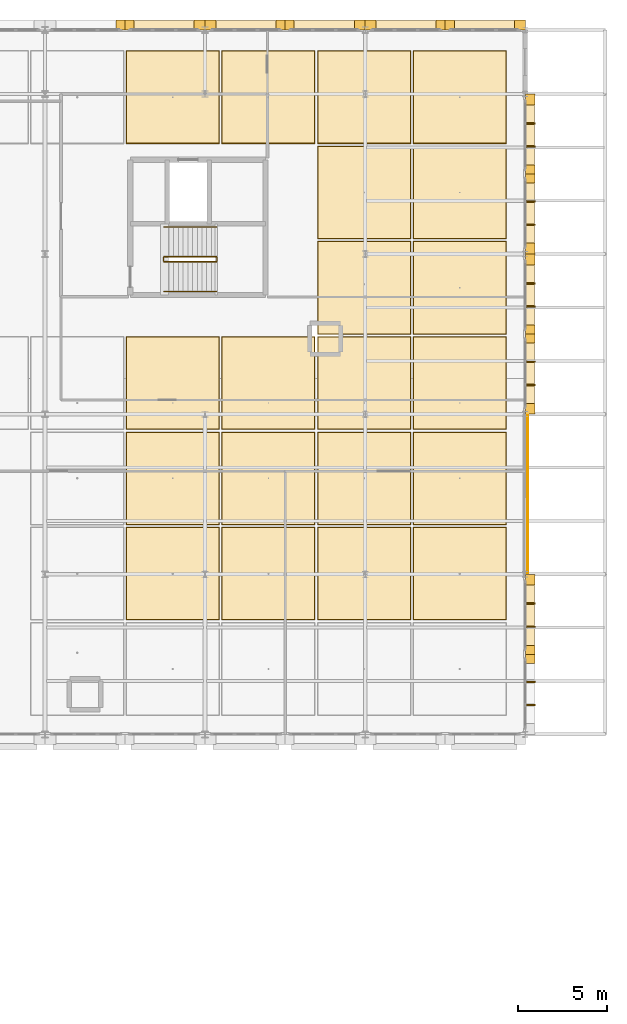
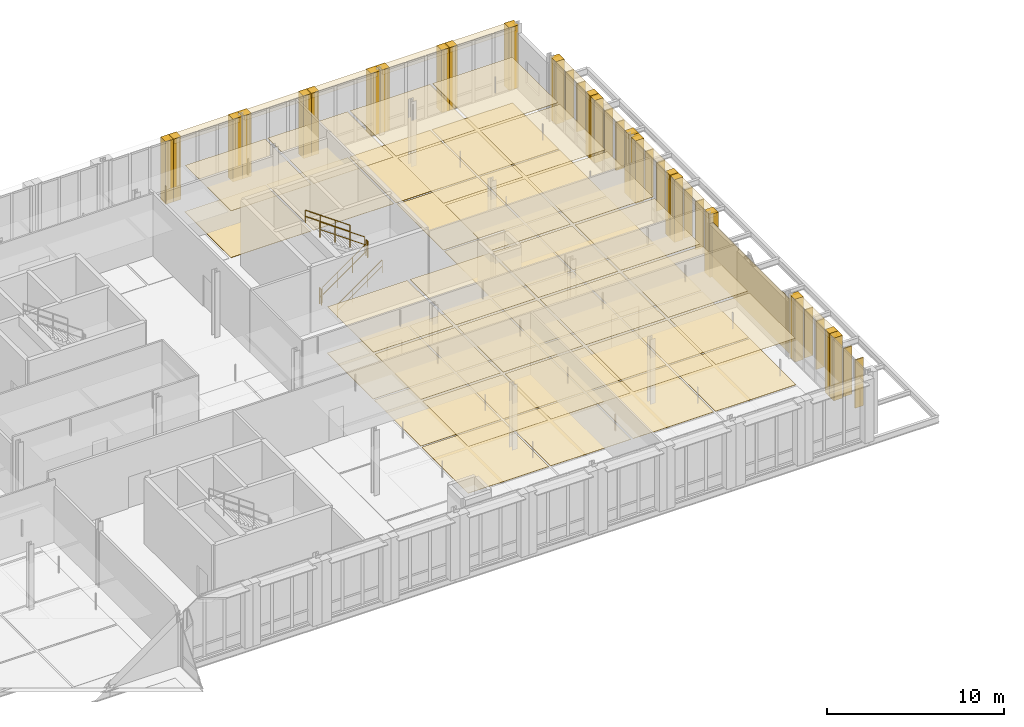
# One storey, part 140 of 140: 73 coverings, 12 shading devices, 6 railings.
"""IFC4 building model written with IfcOpenShell, lengths in metres."""

from ifc_helpers import new_model, si_unit, direction, frame, origin, origin_2d, place, context, subcontext, project, spatial, rectangle, circle, extrude, material, layer, layer_set, type_object, element, save


model = new_model("IFC4")

# Units and contexts
model_context = context("Model", 3, precision=1e-05, world=origin(), true_north=direction((0.0, 1.0)))
body_context = subcontext(model_context, "Body", "Model", "MODEL_VIEW")
ifc_project = project(units=[si_unit("LENGTHUNIT", "METRE"), si_unit("AREAUNIT", "SQUARE_METRE"), si_unit("VOLUMEUNIT", "CUBIC_METRE"), si_unit("PLANEANGLEUNIT", "RADIAN"), si_unit("MASSUNIT", "GRAM", prefix="KILO"), si_unit("THERMODYNAMICTEMPERATUREUNIT", "KELVIN"), si_unit("POWERUNIT", "WATT")], contexts=[model_context])

# Site, building, storey
site_placement = place(None, origin())
site = spatial("IfcSite", under=ifc_project, at=site_placement, CompositionType="ELEMENT")
building_placement = place(site_placement, origin())
building = spatial("IfcBuilding", under=site, at=building_placement, Name="Tallowbark Science Centre", CompositionType="ELEMENT")
storey_placement = place(building_placement, frame((0.0, 0.0, 9.89990234375)))
storey = spatial("IfcBuildingStorey", under=building, at=storey_placement, Name="L02", CompositionType="ELEMENT", Elevation=9.89990234375)

# Coverings
ifc_material_1 = material(Name="Mineral-Fibre Acoustic Ceiling Tile Grid")
ifc_layer_1 = layer(ifc_material_1, 0.01806640625)
ifc_layer_set_1 = layer_set([ifc_layer_1], Name="Mineral-Fibre Acoustic Ceiling Tile Grid")
covering_type_1 = type_object("IfcCoveringType", Name="CLG-ACT-18", PredefinedType="CEILING", material=ifc_layer_set_1)
for number, where, z_axis, x_axis, name in (
    (1, (137.6875, 81.03564453125, 3.191162109375), (0.0, 0.0, 1.0), (1.0, 0.0, 0.0), "Suspended Ceiling L02-923"),
    (2, (137.6875, 86.392822265625, 3.191162109375), (0.0, 0.0, 1.0), (1.0, 0.0, 0.0), "Suspended Ceiling L02-924"),
    (3, (137.6875, 91.75, 3.191162109375), (0.0, 0.0, 1.0), (1.0, 0.0, 0.0), "Suspended Ceiling L02-925"),
    (4, (137.6875, 107.8212890625, 3.191162109375), (0.0, 0.0, 1.0), (1.0, 0.0, 0.0), "Suspended Ceiling L02-926"),
    (5, (143.0625, 81.03564453125, 3.191162109375), (0.0, 0.0, 1.0), (1.0, 0.0, 0.0), "Suspended Ceiling L02-928"),
    (6, (143.0625, 86.392822265625, 3.191162109375), (0.0, 0.0, 1.0), (1.0, 0.0, 0.0), "Suspended Ceiling L02-929"),
    (7, (143.0625, 91.75, 3.191162109375), (0.0, 0.0, 1.0), (1.0, 0.0, 0.0), "Suspended Ceiling L02-930"),
    (8, (143.0625, 107.8212890625, 3.191162109375), (0.0, 0.0, 1.0), (1.0, 0.0, 0.0), "Suspended Ceiling L02-931"),
    (9, (148.4375, 81.03564453125, 3.191162109375), (0.0, 0.0, 1.0), (1.0, 0.0, 0.0), "Suspended Ceiling L02-933"),
    (10, (148.4375, 86.392822265625, 3.191162109375), (0.0, 0.0, 1.0), (1.0, 0.0, 0.0), "Suspended Ceiling L02-934"),
    (11, (148.4375, 91.75, 3.191162109375), (0.0, 0.0, 1.0), (1.0, 0.0, 0.0), "Suspended Ceiling L02-935"),
    (12, (148.4375, 97.107177734375, 3.191162109375), (0.0, 0.0, 1.0), (1.0, 0.0, 0.0), "Suspended Ceiling L02-936"),
    (13, (148.4375, 102.46435546875, 3.191162109375), (0.0, 0.0, 1.0), (1.0, 0.0, 0.0), "Suspended Ceiling L02-937"),
    (14, (148.4375, 107.8212890625, 3.191162109375), (0.0, 0.0, 1.0), (1.0, 0.0, 0.0), "Suspended Ceiling L02-938"),
    (15, (153.8125, 81.03564453125, 3.191162109375), (0.0, 0.0, 1.0), (1.0, 0.0, 0.0), "Suspended Ceiling L02-940"),
    (16, (153.8125, 86.392822265625, 3.191162109375), (0.0, 0.0, 1.0), (1.0, 0.0, 0.0), "Suspended Ceiling L02-941"),
    (17, (153.8125, 91.75, 3.191162109375), (0.0, 0.0, 1.0), (1.0, 0.0, 0.0), "Suspended Ceiling L02-942"),
    (18, (153.8125, 97.107177734375, 3.191162109375), (0.0, 0.0, 1.0), (1.0, 0.0, 0.0), "Suspended Ceiling L02-943"),
    (19, (153.8125, 102.46435546875, 3.191162109375), (0.0, 0.0, 1.0), (1.0, 0.0, 0.0), "Suspended Ceiling L02-944"),
    (20, (153.8125, 107.8212890625, 3.191162109375), (0.0, 0.0, 1.0), (1.0, 0.0, 0.0), "Suspended Ceiling L02-945"),
):
    element("IfcCovering", number, at=place(storey_placement, frame(where, z_axis=z_axis, x_axis=x_axis)), inside=storey, type_object=covering_type_1, Name=name, PredefinedType="CEILING", context=body_context, shape_type="SweptSolid", body=[
        extrude(rectangle(XDim=5.195068359375, YDim=5.177001953125, at=origin_2d()), origin(), (0.0, 0.0, 1.0), 0.01806640625),
    ])
ifc_material_2 = material(Name="White Architectural Precast Concrete Grade N40 (40 MPa)", Category="concrete")
ifc_layer_2 = layer(ifc_material_2, 0.1201171875)
ifc_layer_set_2 = layer_set([ifc_layer_2], Name="White Architectural Precast Concrete Grade N40 (40 MPa)")
covering_type_2 = type_object("IfcCoveringType", Name="COV-PRC-CLAD", PredefinedType="CLADDING", material=ifc_layer_set_2)
covering_1_placement = place(storey_placement, frame((139.195068359375, 111.8798828125, 0.0), z_axis=(0.0, 0.0, 1.0), x_axis=(-1.0, 0.0, 0.0)))
element("IfcCovering", 21, at=covering_1_placement, inside=storey, type_object=covering_type_2, Name="Postmodern Deep Precast Pier CW-L02-148-1", PredefinedType="CLADDING", context=body_context, shape_type="SweptSolid", body=[
    extrude(rectangle(XDim=0.610107421875, YDim=0.56005859375, at=origin_2d()), origin(), (0.0, 0.0, 1.0), 4.320068359375),
])
for number, where, z_axis, x_axis, name in (
    (22, (135.2548828125, 111.8798828125, 0.0), (0.0, 0.0, 1.0), (-1.0, 0.0, 0.0), "Postmodern Deep Precast Pier CW-L02-148-2"),
    (23, (134.7451171875, 111.8798828125, 0.0), (0.0, 0.0, 1.0), (-1.0, 0.0, 0.0), "Postmodern Deep Precast Pier CW-L02-149-1"),
):
    element("IfcCovering", number, at=place(storey_placement, frame(where, z_axis=z_axis, x_axis=x_axis)), inside=storey, type_object=covering_type_2, Name=name, PredefinedType="CLADDING", context=body_context, shape_type="SweptSolid", body=[
        extrude(rectangle(XDim=0.510009765625, YDim=0.56005859375, at=origin_2d()), origin(), (0.0, 0.0, 1.0), 4.320068359375),
    ])
covering_2_placement = place(storey_placement, frame((148.195068359375, 111.8798828125, 0.0), z_axis=(0.0, 0.0, 1.0), x_axis=(-1.0, 0.0, 0.0)))
element("IfcCovering", 24, at=covering_2_placement, inside=storey, type_object=covering_type_2, Name="Postmodern Deep Precast Pier CW-L02-152-1", PredefinedType="CLADDING", context=body_context, shape_type="SweptSolid", body=[
    extrude(rectangle(XDim=0.610107421875, YDim=0.56005859375, at=origin_2d()), origin(), (0.0, 0.0, 1.0), 4.320068359375),
])
for number, where, z_axis, x_axis, name in (
    (25, (144.2548828125, 111.8798828125, 0.0), (0.0, 0.0, 1.0), (-1.0, 0.0, 0.0), "Postmodern Deep Precast Pier CW-L02-152-2"),
    (26, (143.7451171875, 111.8798828125, 0.0), (0.0, 0.0, 1.0), (-1.0, 0.0, 0.0), "Postmodern Deep Precast Pier CW-L02-153-1"),
):
    element("IfcCovering", number, at=place(storey_placement, frame(where, z_axis=z_axis, x_axis=x_axis)), inside=storey, type_object=covering_type_2, Name=name, PredefinedType="CLADDING", context=body_context, shape_type="SweptSolid", body=[
        extrude(rectangle(XDim=0.510009765625, YDim=0.56005859375, at=origin_2d()), origin(), (0.0, 0.0, 1.0), 4.320068359375),
    ])
for number, where, z_axis, x_axis, name in (
    (27, (139.804931640625, 111.8798828125, 0.0), (0.0, 0.0, 1.0), (-1.0, 0.0, 0.0), "Postmodern Deep Precast Pier CW-L02-153-2"),
    (28, (157.195068359375, 111.8798828125, 0.0), (0.0, 0.0, 1.0), (-1.0, 0.0, 0.0), "Postmodern Deep Precast Pier CW-L02-156-1"),
):
    element("IfcCovering", number, at=place(storey_placement, frame(where, z_axis=z_axis, x_axis=x_axis)), inside=storey, type_object=covering_type_2, Name=name, PredefinedType="CLADDING", context=body_context, shape_type="SweptSolid", body=[
        extrude(rectangle(XDim=0.610107421875, YDim=0.56005859375, at=origin_2d()), origin(), (0.0, 0.0, 1.0), 4.320068359375),
    ])
for number, where, z_axis, x_axis, name in (
    (29, (153.2548828125, 111.8798828125, 0.0), (0.0, 0.0, 1.0), (-1.0, 0.0, 0.0), "Postmodern Deep Precast Pier CW-L02-156-2"),
    (30, (152.7451171875, 111.8798828125, 0.0), (0.0, 0.0, 1.0), (-1.0, 0.0, 0.0), "Postmodern Deep Precast Pier CW-L02-157-1"),
):
    element("IfcCovering", number, at=place(storey_placement, frame(where, z_axis=z_axis, x_axis=x_axis)), inside=storey, type_object=covering_type_2, Name=name, PredefinedType="CLADDING", context=body_context, shape_type="SweptSolid", body=[
        extrude(rectangle(XDim=0.510009765625, YDim=0.56005859375, at=origin_2d()), origin(), (0.0, 0.0, 1.0), 4.320068359375),
    ])
covering_3_placement = place(storey_placement, frame((148.804931640625, 111.8798828125, 0.0), z_axis=(0.0, 0.0, 1.0), x_axis=(-1.0, 0.0, 0.0)))
element("IfcCovering", 31, at=covering_3_placement, inside=storey, type_object=covering_type_2, Name="Postmodern Deep Precast Pier CW-L02-157-2", PredefinedType="CLADDING", context=body_context, shape_type="SweptSolid", body=[
    extrude(rectangle(XDim=0.610107421875, YDim=0.56005859375, at=origin_2d()), origin(), (0.0, 0.0, 1.0), 4.320068359375),
])
for number, where, z_axis, x_axis, name in (
    (32, (157.780029296875, 76.2451171875, 0.0), (0.0, 0.0, 1.0), (0.0, 1.0, 0.0), "Postmodern Deep Precast Pier CW-L02-158-2"),
    (33, (157.780029296875, 76.7548828125, 0.0), (0.0, 0.0, 1.0), (0.0, 1.0, 0.0), "Postmodern Deep Precast Pier CW-L02-159-1"),
):
    element("IfcCovering", number, at=place(storey_placement, frame(where, z_axis=z_axis, x_axis=x_axis)), inside=storey, type_object=covering_type_2, Name=name, PredefinedType="CLADDING", context=body_context, shape_type="SweptSolid", body=[
        extrude(rectangle(XDim=0.510009765625, YDim=0.56005859375, at=origin_2d()), origin(), (0.0, 0.0, 1.0), 4.320068359375),
    ])
for number, where, z_axis, x_axis, name in (
    (34, (157.780029296875, 80.695068359375, 0.0), (0.0, 0.0, 1.0), (0.0, 1.0, 0.0), "Postmodern Deep Precast Pier CW-L02-159-2"),
    (35, (157.780029296875, 90.304931640625, 0.0), (0.0, 0.0, 1.0), (0.0, 1.0, 0.0), "Postmodern Deep Precast Pier CW-L02-160-1"),
):
    element("IfcCovering", number, at=place(storey_placement, frame(where, z_axis=z_axis, x_axis=x_axis)), inside=storey, type_object=covering_type_2, Name=name, PredefinedType="CLADDING", context=body_context, shape_type="SweptSolid", body=[
        extrude(rectangle(XDim=0.610107421875, YDim=0.56005859375, at=origin_2d()), origin(), (0.0, 0.0, 1.0), 4.320068359375),
    ])
for number, where, z_axis, x_axis, name in (
    (36, (157.780029296875, 94.2451171875, 0.0), (0.0, 0.0, 1.0), (0.0, 1.0, 0.0), "Postmodern Deep Precast Pier CW-L02-160-2"),
    (37, (157.780029296875, 94.7548828125, 0.0), (0.0, 0.0, 1.0), (0.0, 1.0, 0.0), "Postmodern Deep Precast Pier CW-L02-161-1"),
):
    element("IfcCovering", number, at=place(storey_placement, frame(where, z_axis=z_axis, x_axis=x_axis)), inside=storey, type_object=covering_type_2, Name=name, PredefinedType="CLADDING", context=body_context, shape_type="SweptSolid", body=[
        extrude(rectangle(XDim=0.510009765625, YDim=0.56005859375, at=origin_2d()), origin(), (0.0, 0.0, 1.0), 4.320068359375),
    ])
for number, where, z_axis, x_axis, name in (
    (38, (157.780029296875, 98.695068359375, 0.0), (0.0, 0.0, 1.0), (0.0, 1.0, 0.0), "Postmodern Deep Precast Pier CW-L02-161-2"),
    (39, (157.780029296875, 99.304931640625, 0.0), (0.0, 0.0, 1.0), (0.0, 1.0, 0.0), "Postmodern Deep Precast Pier CW-L02-162-1"),
):
    element("IfcCovering", number, at=place(storey_placement, frame(where, z_axis=z_axis, x_axis=x_axis)), inside=storey, type_object=covering_type_2, Name=name, PredefinedType="CLADDING", context=body_context, shape_type="SweptSolid", body=[
        extrude(rectangle(XDim=0.610107421875, YDim=0.56005859375, at=origin_2d()), origin(), (0.0, 0.0, 1.0), 4.320068359375),
    ])
for number, where, z_axis, x_axis, name in (
    (40, (157.780029296875, 103.2451171875, 0.0), (0.0, 0.0, 1.0), (0.0, 1.0, 0.0), "Postmodern Deep Precast Pier CW-L02-162-2"),
    (41, (157.780029296875, 103.7548828125, 0.0), (0.0, 0.0, 1.0), (0.0, 1.0, 0.0), "Postmodern Deep Precast Pier CW-L02-163-1"),
):
    element("IfcCovering", number, at=place(storey_placement, frame(where, z_axis=z_axis, x_axis=x_axis)), inside=storey, type_object=covering_type_2, Name=name, PredefinedType="CLADDING", context=body_context, shape_type="SweptSolid", body=[
        extrude(rectangle(XDim=0.510009765625, YDim=0.56005859375, at=origin_2d()), origin(), (0.0, 0.0, 1.0), 4.320068359375),
    ])
covering_4_placement = place(storey_placement, frame((157.780029296875, 107.695068359375, 0.0), z_axis=(0.0, 0.0, 1.0), x_axis=(0.0, 1.0, 0.0)))
element("IfcCovering", 42, at=covering_4_placement, inside=storey, type_object=covering_type_2, Name="Postmodern Deep Precast Pier CW-L02-163-2", PredefinedType="CLADDING", context=body_context, shape_type="SweptSolid", body=[
    extrude(rectangle(XDim=0.610107421875, YDim=0.56005859375, at=origin_2d()), origin(), (0.0, 0.0, 1.0), 4.320068359375),
])
ifc_material_3 = material(Name="Vitrified Ochre Terracotta Architectural Rainscreen", Category="masonry")
ifc_layer_3 = layer(ifc_material_3, 0.0380859375)
ifc_layer_set_3 = layer_set([ifc_layer_3], Name="Vitrified Ochre Terracotta Architectural Rainscreen")
covering_type_3 = type_object("IfcCoveringType", Name="COV-TER-CLAD", PredefinedType="CLADDING", material=ifc_layer_set_3)
for number, where, z_axis, x_axis, name in (
    (43, (137.199951171875, 111.860107421875, 3.97021484375), (0.0, 0.0, 1.0), (-1.0, 0.0, 0.0), "Postmodern Terracotta Cornice Band CW-L02-148"),
    (44, (146.199951171875, 111.860107421875, 3.97021484375), (0.0, 0.0, 1.0), (-1.0, 0.0, 0.0), "Postmodern Terracotta Cornice Band CW-L02-152"),
    (45, (141.800048828125, 111.860107421875, 3.97021484375), (0.0, 0.0, 1.0), (-1.0, 0.0, 0.0), "Postmodern Terracotta Cornice Band CW-L02-153"),
    (46, (155.199951171875, 111.860107421875, 3.97021484375), (0.0, 0.0, 1.0), (-1.0, 0.0, 0.0), "Postmodern Terracotta Cornice Band CW-L02-156"),
    (47, (150.800048828125, 111.860107421875, 3.97021484375), (0.0, 0.0, 1.0), (-1.0, 0.0, 0.0), "Postmodern Terracotta Cornice Band CW-L02-157"),
    (48, (157.760009765625, 78.699951171875, 3.97021484375), (0.0, 0.0, 1.0), (0.0, 1.0, 0.0), "Postmodern Terracotta Cornice Band CW-L02-159"),
):
    element("IfcCovering", number, at=place(storey_placement, frame(where, z_axis=z_axis, x_axis=x_axis)), inside=storey, type_object=covering_type_3, Name=name, PredefinedType="CLADDING", context=body_context, shape_type="SweptSolid", body=[
        extrude(rectangle(XDim=4.300048828125, YDim=0.52001953125, at=origin_2d()), origin(), (0.0, 0.0, 1.0), 0.340087890625),
    ])
covering_5_placement = place(storey_placement, frame((157.64404296875, 85.5, 0.050048828125), z_axis=(0.0, 0.0, 1.0), x_axis=(0.0, 1.0, 0.0)))
element("IfcCovering", 49, at=covering_5_placement, inside=storey, type_object=covering_type_3, Name="Architectural Rainscreen OBS-E-L02-81", PredefinedType="CLADDING", context=body_context, shape_type="SweptSolid", body=[
    extrude(rectangle(XDim=8.8798828125, YDim=0.0380859375, at=origin_2d()), origin(), (0.0, 0.0, 1.0), 3.74609375),
])
for number, where, z_axis, x_axis, name in (
    (50, (157.760009765625, 92.300048828125, 3.97021484375), (0.0, 0.0, 1.0), (0.0, 1.0, 0.0), "Postmodern Terracotta Cornice Band CW-L02-160"),
    (51, (157.760009765625, 96.699951171875, 3.97021484375), (0.0, 0.0, 1.0), (0.0, 1.0, 0.0), "Postmodern Terracotta Cornice Band CW-L02-161"),
    (52, (157.760009765625, 101.300048828125, 3.97021484375), (0.0, 0.0, 1.0), (0.0, 1.0, 0.0), "Postmodern Terracotta Cornice Band CW-L02-162"),
    (53, (157.760009765625, 105.699951171875, 3.97021484375), (0.0, 0.0, 1.0), (0.0, 1.0, 0.0), "Postmodern Terracotta Cornice Band CW-L02-163"),
):
    element("IfcCovering", number, at=place(storey_placement, frame(where, z_axis=z_axis, x_axis=x_axis)), inside=storey, type_object=covering_type_3, Name=name, PredefinedType="CLADDING", context=body_context, shape_type="SweptSolid", body=[
        extrude(rectangle(XDim=4.300048828125, YDim=0.52001953125, at=origin_2d()), origin(), (0.0, 0.0, 1.0), 0.340087890625),
    ])
ifc_material_4 = material(Name="Engineered Blackbutt Gallery Timber Flooring", Category="wood")
ifc_layer_4 = layer(ifc_material_4, 0.02197265625)
ifc_layer_set_4 = layer_set([ifc_layer_4], Name="Engineered Blackbutt Gallery Timber Flooring")
covering_type_4 = type_object("IfcCoveringType", Name="FLR-TIM-22", PredefinedType="FLOORING", material=ifc_layer_set_4)
for number, where, z_axis, x_axis, name in (
    (54, (137.6875, 81.03564453125, 0.0), (0.0, 0.0, 1.0), (1.0, 0.0, 0.0), "Floor Finish L02-923"),
    (55, (137.6875, 86.392822265625, 0.0), (0.0, 0.0, 1.0), (1.0, 0.0, 0.0), "Floor Finish L02-924"),
    (56, (137.6875, 91.75, 0.0), (0.0, 0.0, 1.0), (1.0, 0.0, 0.0), "Floor Finish L02-925"),
    (57, (137.6875, 107.8212890625, 0.0), (0.0, 0.0, 1.0), (1.0, 0.0, 0.0), "Floor Finish L02-926"),
    (58, (143.0625, 81.03564453125, 0.0), (0.0, 0.0, 1.0), (1.0, 0.0, 0.0), "Floor Finish L02-928"),
    (59, (143.0625, 86.392822265625, 0.0), (0.0, 0.0, 1.0), (1.0, 0.0, 0.0), "Floor Finish L02-929"),
    (60, (143.0625, 91.75, 0.0), (0.0, 0.0, 1.0), (1.0, 0.0, 0.0), "Floor Finish L02-930"),
    (61, (143.0625, 107.8212890625, 0.0), (0.0, 0.0, 1.0), (1.0, 0.0, 0.0), "Floor Finish L02-931"),
    (62, (148.4375, 81.03564453125, 0.0), (0.0, 0.0, 1.0), (1.0, 0.0, 0.0), "Floor Finish L02-933"),
    (63, (148.4375, 86.392822265625, 0.0), (0.0, 0.0, 1.0), (1.0, 0.0, 0.0), "Floor Finish L02-934"),
    (64, (148.4375, 91.75, 0.0), (0.0, 0.0, 1.0), (1.0, 0.0, 0.0), "Floor Finish L02-935"),
    (65, (148.4375, 97.107177734375, 0.0), (0.0, 0.0, 1.0), (1.0, 0.0, 0.0), "Floor Finish L02-936"),
    (66, (148.4375, 102.46435546875, 0.0), (0.0, 0.0, 1.0), (1.0, 0.0, 0.0), "Floor Finish L02-937"),
    (67, (148.4375, 107.8212890625, 0.0), (0.0, 0.0, 1.0), (1.0, 0.0, 0.0), "Floor Finish L02-938"),
    (68, (153.8125, 81.03564453125, 0.0), (0.0, 0.0, 1.0), (1.0, 0.0, 0.0), "Floor Finish L02-940"),
    (69, (153.8125, 86.392822265625, 0.0), (0.0, 0.0, 1.0), (1.0, 0.0, 0.0), "Floor Finish L02-941"),
    (70, (153.8125, 91.75, 0.0), (0.0, 0.0, 1.0), (1.0, 0.0, 0.0), "Floor Finish L02-942"),
    (71, (153.8125, 97.107177734375, 0.0), (0.0, 0.0, 1.0), (1.0, 0.0, 0.0), "Floor Finish L02-943"),
    (72, (153.8125, 102.46435546875, 0.0), (0.0, 0.0, 1.0), (1.0, 0.0, 0.0), "Floor Finish L02-944"),
    (73, (153.8125, 107.8212890625, 0.0), (0.0, 0.0, 1.0), (1.0, 0.0, 0.0), "Floor Finish L02-945"),
):
    element("IfcCovering", number, at=place(storey_placement, frame(where, z_axis=z_axis, x_axis=x_axis)), inside=storey, type_object=covering_type_4, Name=name, PredefinedType="FLOORING", context=body_context, shape_type="SweptSolid", body=[
        extrude(rectangle(XDim=5.2548828125, YDim=5.237060546875, at=origin_2d()), origin(), (0.0, 0.0, 1.0), 0.02197265625),
    ])

# Railings
ifc_material_5 = material(Name="Galvanised Painted Steel and Laminated Glass Balustrade", Category="steel")
ifc_layer_5 = layer(ifc_material_5, 0.070068359375)
ifc_layer_set_5 = layer_set([ifc_layer_5], Name="Galvanised Painted Steel and Laminated Glass Balustrade")
railing_type_1 = type_object("IfcRailingType", Name="RLG-BAL-1150", PredefinedType="BALUSTRADE", material=ifc_layer_set_5)
railing_1_placement = place(storey_placement, frame((137.2099609375, 98.56005859375, 0.1875)))
element("IfcRailing", 74, at=railing_1_placement, inside=storey, type_object=railing_type_1, Name="L02 ST-04 stair guard 1", PredefinedType="BALUSTRADE", context=body_context, shape_type="SweptSolid", body=[
    extrude(circle(Radius=0.02392578125, at=origin_2d()), frame((0.0, 0.0, 1.076171875), z_axis=(0.816330724661, 0.0, 0.577584753931), x_axis=(0.0, 1.0, 0.0)), (0.0, 0.0, 1.0), 3.57080078125),
    extrude(circle(Radius=0.02392578125, at=origin_2d()), frame((0.0, 0.0, 0.550048828125), z_axis=(0.816330724661, 0.0, 0.577584753931), x_axis=(0.0, 1.0, 0.0)), (0.0, 0.0, 1.0), 3.57080078125),
    extrude(circle(Radius=0.02099609375, at=origin_2d()), origin(), (0.0, 0.0, 1.0), 1.052001953125),
    extrude(circle(Radius=0.02099609375, at=origin_2d()), frame((0.9716796875, 0.0, 0.6875)), (0.0, 0.0, 1.0), 1.052001953125),
    extrude(circle(Radius=0.02099609375, at=origin_2d()), frame((1.943359375, 0.0, 1.375)), (0.0, 0.0, 1.0), 1.052001953125),
    extrude(circle(Radius=0.02099609375, at=origin_2d()), frame((2.9150390625, 0.0, 2.0625)), (0.0, 0.0, 1.0), 1.052001953125),
])
railing_2_placement = place(storey_placement, frame((140.175048828125, 98.610107421875, 2.25)))
element("IfcRailing", 75, at=railing_2_placement, inside=storey, type_object=railing_type_1, Name="L02 ST-04 stair guard 2", PredefinedType="BALUSTRADE", context=body_context, shape_type="SweptSolid", body=[
    extrude(circle(Radius=0.02392578125, at=origin_2d()), frame((0.0, 0.0, 1.076171875), z_axis=(0.0, 1.0, 0.0), x_axis=(-1.0, 0.0, 0.0)), (0.0, 0.0, 1.0), 0.199951171875),
    extrude(circle(Radius=0.02392578125, at=origin_2d()), frame((0.0, 0.0, 0.550048828125), z_axis=(0.0, 1.0, 0.0), x_axis=(-1.0, 0.0, 0.0)), (0.0, 0.0, 1.0), 0.199951171875),
    extrude(circle(Radius=0.02099609375, at=origin_2d()), origin(), (0.0, 0.0, 1.0), 1.052001953125),
    extrude(circle(Radius=0.02099609375, at=origin_2d()), frame((0.0, 0.199951171875, 0.0)), (0.0, 0.0, 1.0), 1.052001953125),
])
railing_3_placement = place(storey_placement, frame((140.125, 98.860107421875, 2.4375)))
element("IfcRailing", 76, at=railing_3_placement, inside=storey, type_object=railing_type_1, Name="L02 ST-04 stair guard 3", PredefinedType="BALUSTRADE", context=body_context, shape_type="SweptSolid", body=[
    extrude(circle(Radius=0.02392578125, at=origin_2d()), frame((0.0, 0.0, 1.076171875), z_axis=(-0.816330724661, 0.0, 0.577584753931), x_axis=(0.0, -1.0, 0.0)), (0.0, 0.0, 1.0), 3.57080078125),
    extrude(circle(Radius=0.02392578125, at=origin_2d()), frame((0.0, 0.0, 0.550048828125), z_axis=(-0.816330724661, 0.0, 0.577584753931), x_axis=(0.0, -1.0, 0.0)), (0.0, 0.0, 1.0), 3.57080078125),
    extrude(circle(Radius=0.02099609375, at=origin_2d()), origin(), (0.0, 0.0, 1.0), 1.052001953125),
    extrude(circle(Radius=0.02099609375, at=origin_2d()), frame((-0.9716796875, 0.0, 0.6875)), (0.0, 0.0, 1.0), 1.052001953125),
    extrude(circle(Radius=0.02099609375, at=origin_2d()), frame((-1.943359375, 0.0, 1.375)), (0.0, 0.0, 1.0), 1.052001953125),
    extrude(circle(Radius=0.02099609375, at=origin_2d()), frame((-2.9150390625, 0.0, 2.0625)), (0.0, 0.0, 1.0), 1.052001953125),
])
railing_4_placement = place(storey_placement, frame((137.159912109375, 98.610107421875, 0.0)))
element("IfcRailing", 77, at=railing_4_placement, inside=storey, type_object=railing_type_1, Name="L02 ST-04 stair guard 4", PredefinedType="BALUSTRADE", context=body_context, shape_type="SweptSolid", body=[
    extrude(circle(Radius=0.02392578125, at=origin_2d()), frame((0.0, 0.0, 1.076171875), z_axis=(0.0, 1.0, 0.0), x_axis=(-1.0, 0.0, 0.0)), (0.0, 0.0, 1.0), 0.199951171875),
    extrude(circle(Radius=0.02392578125, at=origin_2d()), frame((0.0, 0.0, 0.550048828125), z_axis=(0.0, 1.0, 0.0), x_axis=(-1.0, 0.0, 0.0)), (0.0, 0.0, 1.0), 0.199951171875),
    extrude(circle(Radius=0.02099609375, at=origin_2d()), origin(), (0.0, 0.0, 1.0), 1.052001953125),
    extrude(circle(Radius=0.02099609375, at=origin_2d()), frame((0.0, 0.199951171875, 0.0)), (0.0, 0.0, 1.0), 1.052001953125),
])
ifc_material_6 = material(Name="Brushed Grade 316 Stainless Steel Handrail", Category="steel")
ifc_layer_6 = layer(ifc_material_6, 0.050048828125)
ifc_layer_set_6 = layer_set([ifc_layer_6], Name="Brushed Grade 316 Stainless Steel Handrail")
railing_type_2 = type_object("IfcRailingType", Name="RLG-HDR-950", PredefinedType="HANDRAIL", material=ifc_layer_set_6)
railing_5_placement = place(storey_placement, frame((137.2099609375, 96.89990234375, 0.1875)))
element("IfcRailing", 78, at=railing_5_placement, inside=storey, type_object=railing_type_2, Name="L02 ST-04 stair handrail 1", PredefinedType="HANDRAIL", context=body_context, shape_type="SweptSolid", body=[
    extrude(circle(Radius=0.02392578125, at=origin_2d()), frame((0.0, 0.0, 0.8759765625), z_axis=(0.816330724661, 0.0, 0.577584753931), x_axis=(0.0, 1.0, 0.0)), (0.0, 0.0, 1.0), 3.57080078125),
    extrude(circle(Radius=0.02392578125, at=origin_2d()), frame((0.0, 0.0, 0.449951171875), z_axis=(0.816330724661, 0.0, 0.577584753931), x_axis=(0.0, 1.0, 0.0)), (0.0, 0.0, 1.0), 3.57080078125),
    extrude(circle(Radius=0.02099609375, at=origin_2d()), origin(), (0.0, 0.0, 1.0), 0.851806640625),
    extrude(circle(Radius=0.02099609375, at=origin_2d()), frame((0.9716796875, 0.0, 0.6875)), (0.0, 0.0, 1.0), 0.851806640625),
    extrude(circle(Radius=0.02099609375, at=origin_2d()), frame((1.943359375, 0.0, 1.375)), (0.0, 0.0, 1.0), 0.851806640625),
    extrude(circle(Radius=0.02099609375, at=origin_2d()), frame((2.9150390625, 0.0, 2.0625)), (0.0, 0.0, 1.0), 0.851806640625),
])
railing_6_placement = place(storey_placement, frame((140.125, 100.52001953125, 2.4375)))
element("IfcRailing", 79, at=railing_6_placement, inside=storey, type_object=railing_type_2, Name="L02 ST-04 stair handrail 2", PredefinedType="HANDRAIL", context=body_context, shape_type="SweptSolid", body=[
    extrude(circle(Radius=0.02392578125, at=origin_2d()), frame((0.0, 0.0, 0.8759765625), z_axis=(-0.816330724661, 0.0, 0.577584753931), x_axis=(0.0, -1.0, 0.0)), (0.0, 0.0, 1.0), 3.57080078125),
    extrude(circle(Radius=0.02392578125, at=origin_2d()), frame((0.0, 0.0, 0.449951171875), z_axis=(-0.816330724661, 0.0, 0.577584753931), x_axis=(0.0, -1.0, 0.0)), (0.0, 0.0, 1.0), 3.57080078125),
    extrude(circle(Radius=0.02099609375, at=origin_2d()), origin(), (0.0, 0.0, 1.0), 0.851806640625),
    extrude(circle(Radius=0.02099609375, at=origin_2d()), frame((-0.9716796875, 0.0, 0.6875)), (0.0, 0.0, 1.0), 0.851806640625),
    extrude(circle(Radius=0.02099609375, at=origin_2d()), frame((-1.943359375, 0.0, 1.375)), (0.0, 0.0, 1.0), 0.851806640625),
    extrude(circle(Radius=0.02099609375, at=origin_2d()), frame((-2.9150390625, 0.0, 2.0625)), (0.0, 0.0, 1.0), 0.851806640625),
])

# Shading devices
ifc_material_7 = material(Name="Sandstone-Finished Architectural Aluminium Solar Fin", Category="masonry")
shading_device_type = type_object("IfcShadingDeviceType", Name="SHD-FIN-400", PredefinedType="JALOUSIE", material=ifc_material_7)
for number, where, z_axis, x_axis, name in (
    (80, (157.780029296875, 73.64990234375, 0.92529296875), (0.0, 0.0, 1.0), (0.0, 1.0, 0.0), "Vertical Solar Fin CW-L02-158-1"),
    (81, (157.780029296875, 74.949951171875, 0.92529296875), (0.0, 0.0, 1.0), (0.0, 1.0, 0.0), "Vertical Solar Fin CW-L02-158-2"),
    (82, (157.780029296875, 78.050048828125, 0.92529296875), (0.0, 0.0, 1.0), (0.0, 1.0, 0.0), "Vertical Solar Fin CW-L02-159-1"),
    (83, (157.780029296875, 79.35009765625, 0.92529296875), (0.0, 0.0, 1.0), (0.0, 1.0, 0.0), "Vertical Solar Fin CW-L02-159-2"),
    (84, (157.780029296875, 91.64990234375, 0.92529296875), (0.0, 0.0, 1.0), (0.0, 1.0, 0.0), "Vertical Solar Fin CW-L02-160-1"),
    (85, (157.780029296875, 92.949951171875, 0.92529296875), (0.0, 0.0, 1.0), (0.0, 1.0, 0.0), "Vertical Solar Fin CW-L02-160-2"),
    (86, (157.780029296875, 96.050048828125, 0.92529296875), (0.0, 0.0, 1.0), (0.0, 1.0, 0.0), "Vertical Solar Fin CW-L02-161-1"),
    (87, (157.780029296875, 97.35009765625, 0.92529296875), (0.0, 0.0, 1.0), (0.0, 1.0, 0.0), "Vertical Solar Fin CW-L02-161-2"),
    (88, (157.780029296875, 100.64990234375, 0.92529296875), (0.0, 0.0, 1.0), (0.0, 1.0, 0.0), "Vertical Solar Fin CW-L02-162-1"),
    (89, (157.780029296875, 101.949951171875, 0.92529296875), (0.0, 0.0, 1.0), (0.0, 1.0, 0.0), "Vertical Solar Fin CW-L02-162-2"),
    (90, (157.780029296875, 105.050048828125, 0.92529296875), (0.0, 0.0, 1.0), (0.0, 1.0, 0.0), "Vertical Solar Fin CW-L02-163-1"),
    (91, (157.780029296875, 106.35009765625, 0.92529296875), (0.0, 0.0, 1.0), (0.0, 1.0, 0.0), "Vertical Solar Fin CW-L02-163-2"),
):
    element("IfcShadingDevice", number, at=place(storey_placement, frame(where, z_axis=z_axis, x_axis=x_axis)), inside=storey, type_object=shading_device_type, Name=name, PredefinedType="JALOUSIE", context=body_context, shape_type="SweptSolid", body=[
        extrude(rectangle(XDim=0.074951171875, YDim=0.550048828125, at=origin_2d()), origin(), (0.0, 0.0, 1.0), 3.320068359375),
    ])

save(model, "model.ifc")
